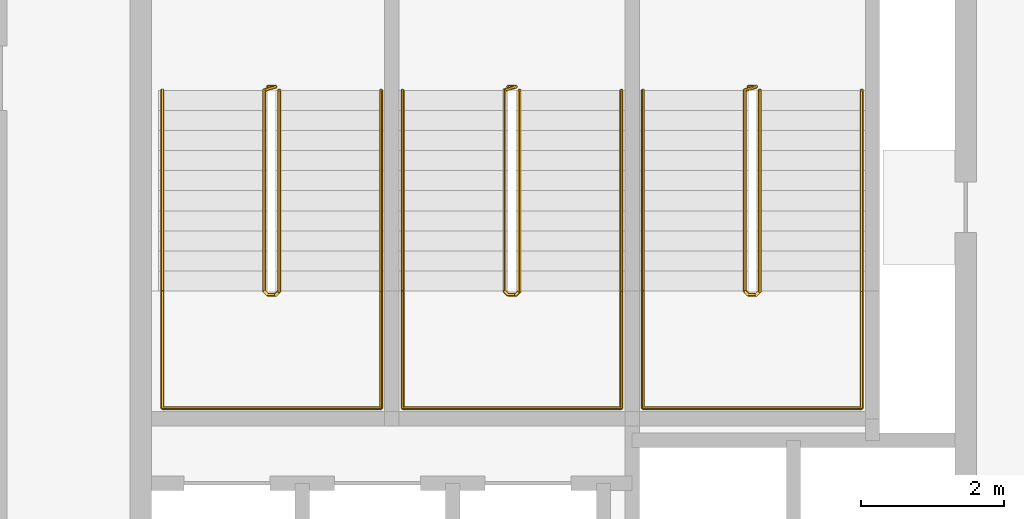
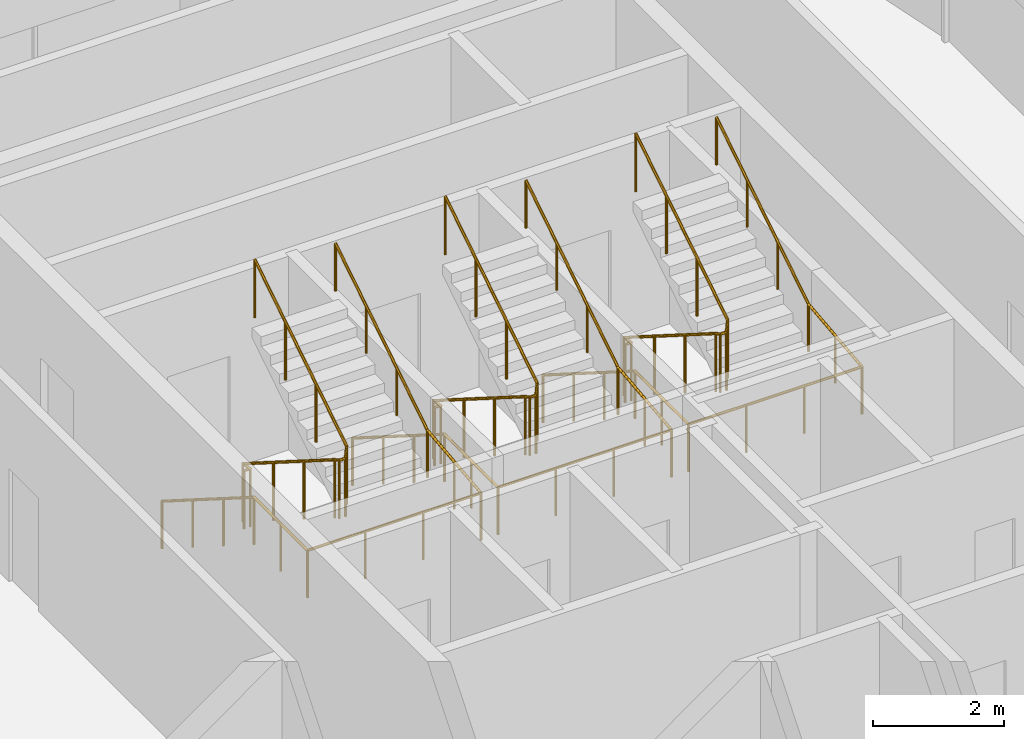
# One storey, part 9 of 9: 6 railings.
"""IFC4 building model written with IfcOpenShell, lengths in metres."""

from ifc_helpers import new_model, si_unit, direction, frame, origin, origin_2d, place, context, subcontext, project, spatial, circle, extrude, material, type_object, element, save


model = new_model("IFC4")

# Units and contexts
model_context = context("Model", 3, precision=1e-05, world=origin(), true_north=direction((0.0, 1.0)))
body_context = subcontext(model_context, "Body", "Model", "MODEL_VIEW")
ifc_project = project(units=[si_unit("LENGTHUNIT", "METRE"), si_unit("AREAUNIT", "SQUARE_METRE"), si_unit("VOLUMEUNIT", "CUBIC_METRE"), si_unit("PLANEANGLEUNIT", "RADIAN"), si_unit("MASSUNIT", "GRAM", prefix="KILO")], contexts=[model_context])

# Site, building, storey
site_placement = place(None, origin())
site = spatial("IfcSite", under=ifc_project, at=site_placement, CompositionType="ELEMENT")
building_placement = place(site_placement, origin())
building = spatial("IfcBuilding", under=site, at=building_placement, Name="Tessera Arch", CompositionType="ELEMENT")
storey_placement = place(building_placement, frame((0.0, 0.0, 312.89990234375)))
storey = spatial("IfcBuildingStorey", under=building, at=storey_placement, Name="L75", CompositionType="ELEMENT", Elevation=312.89990234375)

# Railings
ifc_material_1 = material(Name="Painted steel balustrade", Category="steel")
railing_type_1 = type_object("IfcRailingType", Name="Stair guard 1100", PredefinedType="GUARDRAIL", material=ifc_material_1)
railing_1_placement = place(storey_placement, frame((38.219970703125, 43.6298828125, 0.0)))
element("IfcRailing", 1, at=railing_1_placement, inside=storey, type_object=railing_type_1, Name="L75 S1a stair guard 1", PredefinedType="GUARDRAIL", context=body_context, shape_type="SweptSolid", body=[
    extrude(circle(Radius=0.02392578125, at=origin_2d()), frame((-0.00390625, 0.0, 1.076171875), z_axis=(1.0, 0.0, 0.0), x_axis=(0.0, 1.0, 0.0)), (0.0, 0.0, 1.0), 0.1181640625),
    extrude(circle(Radius=0.02392578125, at=origin_2d()), frame((0.11279296875, 0.000732421875, 1.0732421875), z_axis=(-0.655842288892, -0.203950955692, 0.72682521955), x_axis=(0.296948579431, -0.954893471113, 0.0)), (0.0, 0.0, 1.0), 0.252197265625),
    extrude(circle(Radius=0.02392578125, at=origin_2d()), frame((-0.050048828125, -0.04638671875, 1.25146484375), z_axis=(0.0, -0.844908973607, 0.534910110503), x_axis=(1.0, 0.0, 0.0)), (0.0, 0.0, 1.0), 3.322021484375),
    extrude(circle(Radius=0.02392578125, at=origin_2d()), frame((-0.052978515625, -2.846923828125, 3.0263671875), z_axis=(0.707106781187, -0.707106781187, 0.0), x_axis=(0.707106781187, 0.707106781187, 0.0)), (0.0, 0.0, 1.0), 0.078857421875),
    extrude(circle(Radius=0.02392578125, at=origin_2d()), frame((-0.00390625, -2.89990234375, 3.0263671875), z_axis=(1.0, 0.0, 0.0), x_axis=(0.0, 1.0, 0.0)), (0.0, 0.0, 1.0), 0.1181640625),
    extrude(circle(Radius=0.02392578125, at=origin_2d()), frame((0.109130859375, -2.90087890625, 3.0224609375), z_axis=(0.261041864531, 0.262321481514, 0.929001929653), x_axis=(-0.708833529934, 0.705375805398, 0.0)), (0.0, 0.0, 1.0), 0.19873046875),
    extrude(circle(Radius=0.02392578125, at=origin_2d()), frame((0.159912109375, -2.853271484375, 3.201416015625), z_axis=(0.0, 0.844908973607, 0.534910110503), x_axis=(-1.0, 0.0, 0.0)), (0.0, 0.0, 1.0), 3.322021484375),
    extrude(circle(Radius=0.02099609375, at=origin_2d()), origin(), (0.0, 0.0, 1.0), 1.06396484375),
    extrude(circle(Radius=0.02099609375, at=origin_2d()), frame((0.110107421875, 0.0, 0.0)), (0.0, 0.0, 1.0), 1.06396484375),
    extrude(circle(Radius=0.02099609375, at=origin_2d()), frame((-0.050048828125, -0.0498046875, 0.177490234375)), (0.0, 0.0, 1.0), 1.06396484375),
    extrude(circle(Radius=0.02099609375, at=origin_2d()), frame((-0.050048828125, -0.983154296875, 0.768310546875)), (0.0, 0.0, 1.0), 1.06396484375),
    extrude(circle(Radius=0.02099609375, at=origin_2d()), frame((-0.050048828125, -1.91650390625, 1.359375)), (0.0, 0.0, 1.0), 1.06396484375),
    extrude(circle(Radius=0.02099609375, at=origin_2d()), frame((-0.050048828125, -2.849853515625, 1.9501953125)), (0.0, 0.0, 1.0), 1.06396484375),
    extrude(circle(Radius=0.02099609375, at=origin_2d()), frame((0.0, -2.89990234375, 1.9501953125)), (0.0, 0.0, 1.0), 1.06396484375),
    extrude(circle(Radius=0.02099609375, at=origin_2d()), frame((0.110107421875, -2.89990234375, 1.9501953125)), (0.0, 0.0, 1.0), 1.06396484375),
    extrude(circle(Radius=0.02099609375, at=origin_2d()), frame((0.159912109375, -2.849853515625, 2.12744140625)), (0.0, 0.0, 1.0), 1.06396484375),
    extrude(circle(Radius=0.02099609375, at=origin_2d()), frame((0.159912109375, -1.91650390625, 2.71826171875)), (0.0, 0.0, 1.0), 1.06396484375),
    extrude(circle(Radius=0.02099609375, at=origin_2d()), frame((0.159912109375, -0.983154296875, 3.309326171875)), (0.0, 0.0, 1.0), 1.06396484375),
    extrude(circle(Radius=0.02099609375, at=origin_2d()), frame((0.159912109375, -0.0498046875, 3.900146484375)), (0.0, 0.0, 1.0), 1.06396484375),
])
railing_2_placement = place(storey_placement, frame((41.570068359375, 43.6298828125, 0.0)))
element("IfcRailing", 2, at=railing_2_placement, inside=storey, type_object=railing_type_1, Name="L75 S1b stair guard 1", PredefinedType="GUARDRAIL", context=body_context, shape_type="SweptSolid", body=[
    extrude(circle(Radius=0.02392578125, at=origin_2d()), frame((-0.00390625, 0.0, 1.076171875), z_axis=(1.0, 0.0, 0.0), x_axis=(0.0, 1.0, 0.0)), (0.0, 0.0, 1.0), 0.117919921875),
    extrude(circle(Radius=0.02392578125, at=origin_2d()), frame((0.112548828125, 0.000732421875, 1.0732421875), z_axis=(-0.655271994328, -0.204084712737, 0.727301892941), x_axis=(0.297361876254, -0.954764847777, 0.0)), (0.0, 0.0, 1.0), 0.251953125),
    extrude(circle(Radius=0.02392578125, at=origin_2d()), frame((-0.050048828125, -0.04638671875, 1.25146484375), z_axis=(0.0, -0.844908973607, 0.534910110503), x_axis=(1.0, 0.0, 0.0)), (0.0, 0.0, 1.0), 3.322021484375),
    extrude(circle(Radius=0.02392578125, at=origin_2d()), frame((-0.052978515625, -2.846923828125, 3.0263671875), z_axis=(0.707106781187, -0.707106781187, 0.0), x_axis=(0.707106781187, 0.707106781187, 0.0)), (0.0, 0.0, 1.0), 0.078857421875),
    extrude(circle(Radius=0.02392578125, at=origin_2d()), frame((-0.00390625, -2.89990234375, 3.0263671875), z_axis=(1.0, 0.0, 0.0), x_axis=(0.0, 1.0, 0.0)), (0.0, 0.0, 1.0), 0.117919921875),
    extrude(circle(Radius=0.02392578125, at=origin_2d()), frame((0.10888671875, -2.90087890625, 3.0224609375), z_axis=(0.262233686654, 0.262233686654, 0.928691007369), x_axis=(-0.707106781187, 0.707106781187, 0.0)), (0.0, 0.0, 1.0), 0.198974609375),
    extrude(circle(Radius=0.02392578125, at=origin_2d()), frame((0.159912109375, -2.853271484375, 3.201416015625), z_axis=(0.0, 0.844908973607, 0.534910110503), x_axis=(-1.0, 0.0, 0.0)), (0.0, 0.0, 1.0), 3.322021484375),
    extrude(circle(Radius=0.02099609375, at=origin_2d()), origin(), (0.0, 0.0, 1.0), 1.06396484375),
    extrude(circle(Radius=0.02099609375, at=origin_2d()), frame((0.10986328125, 0.0, 0.0)), (0.0, 0.0, 1.0), 1.06396484375),
    extrude(circle(Radius=0.02099609375, at=origin_2d()), frame((-0.050048828125, -0.0498046875, 0.177490234375)), (0.0, 0.0, 1.0), 1.06396484375),
    extrude(circle(Radius=0.02099609375, at=origin_2d()), frame((-0.050048828125, -0.983154296875, 0.768310546875)), (0.0, 0.0, 1.0), 1.06396484375),
    extrude(circle(Radius=0.02099609375, at=origin_2d()), frame((-0.050048828125, -1.91650390625, 1.359375)), (0.0, 0.0, 1.0), 1.06396484375),
    extrude(circle(Radius=0.02099609375, at=origin_2d()), frame((-0.050048828125, -2.849853515625, 1.9501953125)), (0.0, 0.0, 1.0), 1.06396484375),
    extrude(circle(Radius=0.02099609375, at=origin_2d()), frame((0.0, -2.89990234375, 1.9501953125)), (0.0, 0.0, 1.0), 1.06396484375),
    extrude(circle(Radius=0.02099609375, at=origin_2d()), frame((0.10986328125, -2.89990234375, 1.9501953125)), (0.0, 0.0, 1.0), 1.06396484375),
    extrude(circle(Radius=0.02099609375, at=origin_2d()), frame((0.159912109375, -2.849853515625, 2.12744140625)), (0.0, 0.0, 1.0), 1.06396484375),
    extrude(circle(Radius=0.02099609375, at=origin_2d()), frame((0.159912109375, -1.91650390625, 2.71826171875)), (0.0, 0.0, 1.0), 1.06396484375),
    extrude(circle(Radius=0.02099609375, at=origin_2d()), frame((0.159912109375, -0.983154296875, 3.309326171875)), (0.0, 0.0, 1.0), 1.06396484375),
    extrude(circle(Radius=0.02099609375, at=origin_2d()), frame((0.159912109375, -0.0498046875, 3.900146484375)), (0.0, 0.0, 1.0), 1.06396484375),
])
railing_3_placement = place(storey_placement, frame((44.919921875, 43.6298828125, 0.0)))
element("IfcRailing", 3, at=railing_3_placement, inside=storey, type_object=railing_type_1, Name="L75 S1c stair guard 1", PredefinedType="GUARDRAIL", context=body_context, shape_type="SweptSolid", body=[
    extrude(circle(Radius=0.02392578125, at=origin_2d()), frame((-0.00390625, 0.0, 1.076171875), z_axis=(1.0, 0.0, 0.0), x_axis=(0.0, 1.0, 0.0)), (0.0, 0.0, 1.0), 0.1181640625),
    extrude(circle(Radius=0.02392578125, at=origin_2d()), frame((0.11279296875, 0.000732421875, 1.0732421875), z_axis=(-0.655271994328, -0.204084712737, 0.727301892941), x_axis=(0.297361876254, -0.954764847777, 0.0)), (0.0, 0.0, 1.0), 0.251953125),
    extrude(circle(Radius=0.02392578125, at=origin_2d()), frame((-0.0498046875, -0.04638671875, 1.25146484375), z_axis=(0.0, -0.844908973607, 0.534910110503), x_axis=(1.0, 0.0, 0.0)), (0.0, 0.0, 1.0), 3.322021484375),
    extrude(circle(Radius=0.02392578125, at=origin_2d()), frame((-0.052734375, -2.846923828125, 3.0263671875), z_axis=(0.705375805398, -0.708833529934, 0.0), x_axis=(0.708833529934, 0.705375805398, 0.0)), (0.0, 0.0, 1.0), 0.07861328125),
    extrude(circle(Radius=0.02392578125, at=origin_2d()), frame((-0.00390625, -2.89990234375, 3.0263671875), z_axis=(1.0, 0.0, 0.0), x_axis=(0.0, 1.0, 0.0)), (0.0, 0.0, 1.0), 0.1181640625),
    extrude(circle(Radius=0.02392578125, at=origin_2d()), frame((0.109130859375, -2.90087890625, 3.0224609375), z_axis=(0.262233686654, 0.262233686654, 0.928691007369), x_axis=(-0.707106781187, 0.707106781187, 0.0)), (0.0, 0.0, 1.0), 0.198974609375),
    extrude(circle(Radius=0.02392578125, at=origin_2d()), frame((0.16015625, -2.853271484375, 3.201416015625), z_axis=(0.0, 0.844908973607, 0.534910110503), x_axis=(-1.0, 0.0, 0.0)), (0.0, 0.0, 1.0), 3.322021484375),
    extrude(circle(Radius=0.02099609375, at=origin_2d()), origin(), (0.0, 0.0, 1.0), 1.06396484375),
    extrude(circle(Radius=0.02099609375, at=origin_2d()), frame((0.110107421875, 0.0, 0.0)), (0.0, 0.0, 1.0), 1.06396484375),
    extrude(circle(Radius=0.02099609375, at=origin_2d()), frame((-0.0498046875, -0.0498046875, 0.177490234375)), (0.0, 0.0, 1.0), 1.06396484375),
    extrude(circle(Radius=0.02099609375, at=origin_2d()), frame((-0.0498046875, -0.983154296875, 0.768310546875)), (0.0, 0.0, 1.0), 1.06396484375),
    extrude(circle(Radius=0.02099609375, at=origin_2d()), frame((-0.0498046875, -1.91650390625, 1.359375)), (0.0, 0.0, 1.0), 1.06396484375),
    extrude(circle(Radius=0.02099609375, at=origin_2d()), frame((-0.0498046875, -2.849853515625, 1.9501953125)), (0.0, 0.0, 1.0), 1.06396484375),
    extrude(circle(Radius=0.02099609375, at=origin_2d()), frame((0.0, -2.89990234375, 1.9501953125)), (0.0, 0.0, 1.0), 1.06396484375),
    extrude(circle(Radius=0.02099609375, at=origin_2d()), frame((0.110107421875, -2.89990234375, 1.9501953125)), (0.0, 0.0, 1.0), 1.06396484375),
    extrude(circle(Radius=0.02099609375, at=origin_2d()), frame((0.16015625, -2.849853515625, 2.12744140625)), (0.0, 0.0, 1.0), 1.06396484375),
    extrude(circle(Radius=0.02099609375, at=origin_2d()), frame((0.16015625, -1.91650390625, 2.71826171875)), (0.0, 0.0, 1.0), 1.06396484375),
    extrude(circle(Radius=0.02099609375, at=origin_2d()), frame((0.16015625, -0.983154296875, 3.309326171875)), (0.0, 0.0, 1.0), 1.06396484375),
    extrude(circle(Radius=0.02099609375, at=origin_2d()), frame((0.16015625, -0.0498046875, 3.900146484375)), (0.0, 0.0, 1.0), 1.06396484375),
])
ifc_material_2 = material(Name="Painted steel handrail", Category="steel")
railing_type_2 = type_object("IfcRailingType", Name="Stair handrail 900", PredefinedType="HANDRAIL", material=ifc_material_2)
railing_4_placement = place(storey_placement, frame((36.75, 43.580078125, 0.177490234375)))
element("IfcRailing", 4, at=railing_4_placement, inside=storey, type_object=railing_type_2, Name="L75 S1a stair handrail", PredefinedType="HANDRAIL", context=body_context, shape_type="SweptSolid", body=[
    extrude(circle(Radius=0.02392578125, at=origin_2d()), frame((0.0, 0.00341796875, 0.873779296875), z_axis=(0.0, -0.844908973607, 0.534910110503), x_axis=(1.0, 0.0, 0.0)), (0.0, 0.0, 1.0), 3.322021484375),
    extrude(circle(Radius=0.02392578125, at=origin_2d()), frame((0.0, -2.796142578125, 2.6484375), z_axis=(0.0, -1.0, 0.0), x_axis=(1.0, 0.0, 0.0)), (0.0, 0.0, 1.0), 1.63818359375),
    extrude(circle(Radius=0.02392578125, at=origin_2d()), frame((-0.00390625, -4.43017578125, 2.6484375), z_axis=(1.0, 0.0, 0.0), x_axis=(0.0, 1.0, 0.0)), (0.0, 0.0, 1.0), 3.05810546875),
    extrude(circle(Radius=0.02392578125, at=origin_2d()), frame((3.050048828125, -4.43408203125, 2.648193359375), z_axis=(0.0, 0.994140637614, 0.108094369164), x_axis=(-1.0, 0.0, 0.0)), (0.0, 0.0, 1.0), 1.647705078125),
    extrude(circle(Radius=0.02392578125, at=origin_2d()), frame((3.050048828125, -2.803466796875, 2.82373046875), z_axis=(0.0, 0.844908973607, 0.534910110503), x_axis=(-1.0, 0.0, 0.0)), (0.0, 0.0, 1.0), 3.322021484375),
    extrude(circle(Radius=0.02099609375, at=origin_2d()), origin(), (0.0, 0.0, 1.0), 0.86376953125),
    extrude(circle(Radius=0.02099609375, at=origin_2d()), frame((0.0, -0.933349609375, 0.5908203125)), (0.0, 0.0, 1.0), 0.86376953125),
    extrude(circle(Radius=0.02099609375, at=origin_2d()), frame((0.0, -1.86669921875, 1.181884765625)), (0.0, 0.0, 1.0), 0.86376953125),
    extrude(circle(Radius=0.02099609375, at=origin_2d()), frame((0.0, -2.800048828125, 1.772705078125)), (0.0, 0.0, 1.0), 0.86376953125),
    extrude(circle(Radius=0.02099609375, at=origin_2d()), frame((0.0, -3.615234375, 1.772705078125)), (0.0, 0.0, 1.0), 0.86376953125),
    extrude(circle(Radius=0.02099609375, at=origin_2d()), frame((0.0, -4.43017578125, 1.772705078125)), (0.0, 0.0, 1.0), 0.86376953125),
    extrude(circle(Radius=0.02099609375, at=origin_2d()), frame((1.0166015625, -4.43017578125, 1.772705078125)), (0.0, 0.0, 1.0), 0.86376953125),
    extrude(circle(Radius=0.02099609375, at=origin_2d()), frame((2.033447265625, -4.43017578125, 1.772705078125)), (0.0, 0.0, 1.0), 0.86376953125),
    extrude(circle(Radius=0.02099609375, at=origin_2d()), frame((3.050048828125, -4.43017578125, 1.772705078125)), (0.0, 0.0, 1.0), 0.86376953125),
    extrude(circle(Radius=0.02099609375, at=origin_2d()), frame((3.050048828125, -3.615234375, 1.861328125)), (0.0, 0.0, 1.0), 0.86376953125),
    extrude(circle(Radius=0.02099609375, at=origin_2d()), frame((3.050048828125, -2.800048828125, 1.949951171875)), (0.0, 0.0, 1.0), 0.86376953125),
    extrude(circle(Radius=0.02099609375, at=origin_2d()), frame((3.050048828125, -1.86669921875, 2.540771484375)), (0.0, 0.0, 1.0), 0.86376953125),
    extrude(circle(Radius=0.02099609375, at=origin_2d()), frame((3.050048828125, -0.933349609375, 3.1318359375)), (0.0, 0.0, 1.0), 0.86376953125),
    extrude(circle(Radius=0.02099609375, at=origin_2d()), frame((3.050048828125, 0.0, 3.72265625)), (0.0, 0.0, 1.0), 0.86376953125),
])
railing_5_placement = place(storey_placement, frame((40.10009765625, 43.580078125, 0.177490234375)))
element("IfcRailing", 5, at=railing_5_placement, inside=storey, type_object=railing_type_2, Name="L75 S1b stair handrail", PredefinedType="HANDRAIL", context=body_context, shape_type="SweptSolid", body=[
    extrude(circle(Radius=0.02392578125, at=origin_2d()), frame((0.0, 0.00341796875, 0.873779296875), z_axis=(0.0, -0.844908973607, 0.534910110503), x_axis=(1.0, 0.0, 0.0)), (0.0, 0.0, 1.0), 3.322021484375),
    extrude(circle(Radius=0.02392578125, at=origin_2d()), frame((0.0, -2.796142578125, 2.6484375), z_axis=(0.0, -1.0, 0.0), x_axis=(1.0, 0.0, 0.0)), (0.0, 0.0, 1.0), 1.63818359375),
    extrude(circle(Radius=0.02392578125, at=origin_2d()), frame((-0.00390625, -4.43017578125, 2.6484375), z_axis=(1.0, 0.0, 0.0), x_axis=(0.0, 1.0, 0.0)), (0.0, 0.0, 1.0), 3.057861328125),
    extrude(circle(Radius=0.02392578125, at=origin_2d()), frame((3.0498046875, -4.43408203125, 2.648193359375), z_axis=(0.0, 0.994140637614, 0.108094369164), x_axis=(-1.0, 0.0, 0.0)), (0.0, 0.0, 1.0), 1.647705078125),
    extrude(circle(Radius=0.02392578125, at=origin_2d()), frame((3.0498046875, -2.803466796875, 2.82373046875), z_axis=(0.0, 0.844908973607, 0.534910110503), x_axis=(-1.0, 0.0, 0.0)), (0.0, 0.0, 1.0), 3.322021484375),
    extrude(circle(Radius=0.02099609375, at=origin_2d()), origin(), (0.0, 0.0, 1.0), 0.86376953125),
    extrude(circle(Radius=0.02099609375, at=origin_2d()), frame((0.0, -0.933349609375, 0.5908203125)), (0.0, 0.0, 1.0), 0.86376953125),
    extrude(circle(Radius=0.02099609375, at=origin_2d()), frame((0.0, -1.86669921875, 1.181884765625)), (0.0, 0.0, 1.0), 0.86376953125),
    extrude(circle(Radius=0.02099609375, at=origin_2d()), frame((0.0, -2.800048828125, 1.772705078125)), (0.0, 0.0, 1.0), 0.86376953125),
    extrude(circle(Radius=0.02099609375, at=origin_2d()), frame((0.0, -3.615234375, 1.772705078125)), (0.0, 0.0, 1.0), 0.86376953125),
    extrude(circle(Radius=0.02099609375, at=origin_2d()), frame((0.0, -4.43017578125, 1.772705078125)), (0.0, 0.0, 1.0), 0.86376953125),
    extrude(circle(Radius=0.02099609375, at=origin_2d()), frame((1.0166015625, -4.43017578125, 1.772705078125)), (0.0, 0.0, 1.0), 0.86376953125),
    extrude(circle(Radius=0.02099609375, at=origin_2d()), frame((2.033203125, -4.43017578125, 1.772705078125)), (0.0, 0.0, 1.0), 0.86376953125),
    extrude(circle(Radius=0.02099609375, at=origin_2d()), frame((3.0498046875, -4.43017578125, 1.772705078125)), (0.0, 0.0, 1.0), 0.86376953125),
    extrude(circle(Radius=0.02099609375, at=origin_2d()), frame((3.0498046875, -3.615234375, 1.861328125)), (0.0, 0.0, 1.0), 0.86376953125),
    extrude(circle(Radius=0.02099609375, at=origin_2d()), frame((3.0498046875, -2.800048828125, 1.949951171875)), (0.0, 0.0, 1.0), 0.86376953125),
    extrude(circle(Radius=0.02099609375, at=origin_2d()), frame((3.0498046875, -1.86669921875, 2.540771484375)), (0.0, 0.0, 1.0), 0.86376953125),
    extrude(circle(Radius=0.02099609375, at=origin_2d()), frame((3.0498046875, -0.933349609375, 3.1318359375)), (0.0, 0.0, 1.0), 0.86376953125),
    extrude(circle(Radius=0.02099609375, at=origin_2d()), frame((3.0498046875, 0.0, 3.72265625)), (0.0, 0.0, 1.0), 0.86376953125),
])
railing_6_placement = place(storey_placement, frame((43.449951171875, 43.580078125, 0.177490234375)))
element("IfcRailing", 6, at=railing_6_placement, inside=storey, type_object=railing_type_2, Name="L75 S1c stair handrail", PredefinedType="HANDRAIL", context=body_context, shape_type="SweptSolid", body=[
    extrude(circle(Radius=0.02392578125, at=origin_2d()), frame((0.0, 0.00341796875, 0.873779296875), z_axis=(0.0, -0.844908973607, 0.534910110503), x_axis=(1.0, 0.0, 0.0)), (0.0, 0.0, 1.0), 3.322021484375),
    extrude(circle(Radius=0.02392578125, at=origin_2d()), frame((0.0, -2.796142578125, 2.6484375), z_axis=(0.0, -1.0, 0.0), x_axis=(1.0, 0.0, 0.0)), (0.0, 0.0, 1.0), 1.63818359375),
    extrude(circle(Radius=0.02392578125, at=origin_2d()), frame((-0.00390625, -4.43017578125, 2.6484375), z_axis=(1.0, 0.0, 0.0), x_axis=(0.0, 1.0, 0.0)), (0.0, 0.0, 1.0), 3.05810546875),
    extrude(circle(Radius=0.02392578125, at=origin_2d()), frame((3.050048828125, -4.43408203125, 2.648193359375), z_axis=(0.0, 0.994140637614, 0.108094369164), x_axis=(-1.0, 0.0, 0.0)), (0.0, 0.0, 1.0), 1.647705078125),
    extrude(circle(Radius=0.02392578125, at=origin_2d()), frame((3.050048828125, -2.803466796875, 2.82373046875), z_axis=(0.0, 0.844908973607, 0.534910110503), x_axis=(-1.0, 0.0, 0.0)), (0.0, 0.0, 1.0), 3.322021484375),
    extrude(circle(Radius=0.02099609375, at=origin_2d()), origin(), (0.0, 0.0, 1.0), 0.86376953125),
    extrude(circle(Radius=0.02099609375, at=origin_2d()), frame((0.0, -0.933349609375, 0.5908203125)), (0.0, 0.0, 1.0), 0.86376953125),
    extrude(circle(Radius=0.02099609375, at=origin_2d()), frame((0.0, -1.86669921875, 1.181884765625)), (0.0, 0.0, 1.0), 0.86376953125),
    extrude(circle(Radius=0.02099609375, at=origin_2d()), frame((0.0, -2.800048828125, 1.772705078125)), (0.0, 0.0, 1.0), 0.86376953125),
    extrude(circle(Radius=0.02099609375, at=origin_2d()), frame((0.0, -3.615234375, 1.772705078125)), (0.0, 0.0, 1.0), 0.86376953125),
    extrude(circle(Radius=0.02099609375, at=origin_2d()), frame((0.0, -4.43017578125, 1.772705078125)), (0.0, 0.0, 1.0), 0.86376953125),
    extrude(circle(Radius=0.02099609375, at=origin_2d()), frame((1.0166015625, -4.43017578125, 1.772705078125)), (0.0, 0.0, 1.0), 0.86376953125),
    extrude(circle(Radius=0.02099609375, at=origin_2d()), frame((2.033447265625, -4.43017578125, 1.772705078125)), (0.0, 0.0, 1.0), 0.86376953125),
    extrude(circle(Radius=0.02099609375, at=origin_2d()), frame((3.050048828125, -4.43017578125, 1.772705078125)), (0.0, 0.0, 1.0), 0.86376953125),
    extrude(circle(Radius=0.02099609375, at=origin_2d()), frame((3.050048828125, -3.615234375, 1.861328125)), (0.0, 0.0, 1.0), 0.86376953125),
    extrude(circle(Radius=0.02099609375, at=origin_2d()), frame((3.050048828125, -2.800048828125, 1.949951171875)), (0.0, 0.0, 1.0), 0.86376953125),
    extrude(circle(Radius=0.02099609375, at=origin_2d()), frame((3.050048828125, -1.86669921875, 2.540771484375)), (0.0, 0.0, 1.0), 0.86376953125),
    extrude(circle(Radius=0.02099609375, at=origin_2d()), frame((3.050048828125, -0.933349609375, 3.1318359375)), (0.0, 0.0, 1.0), 0.86376953125),
    extrude(circle(Radius=0.02099609375, at=origin_2d()), frame((3.050048828125, 0.0, 3.72265625)), (0.0, 0.0, 1.0), 0.86376953125),
])

save(model, "model.ifc")
